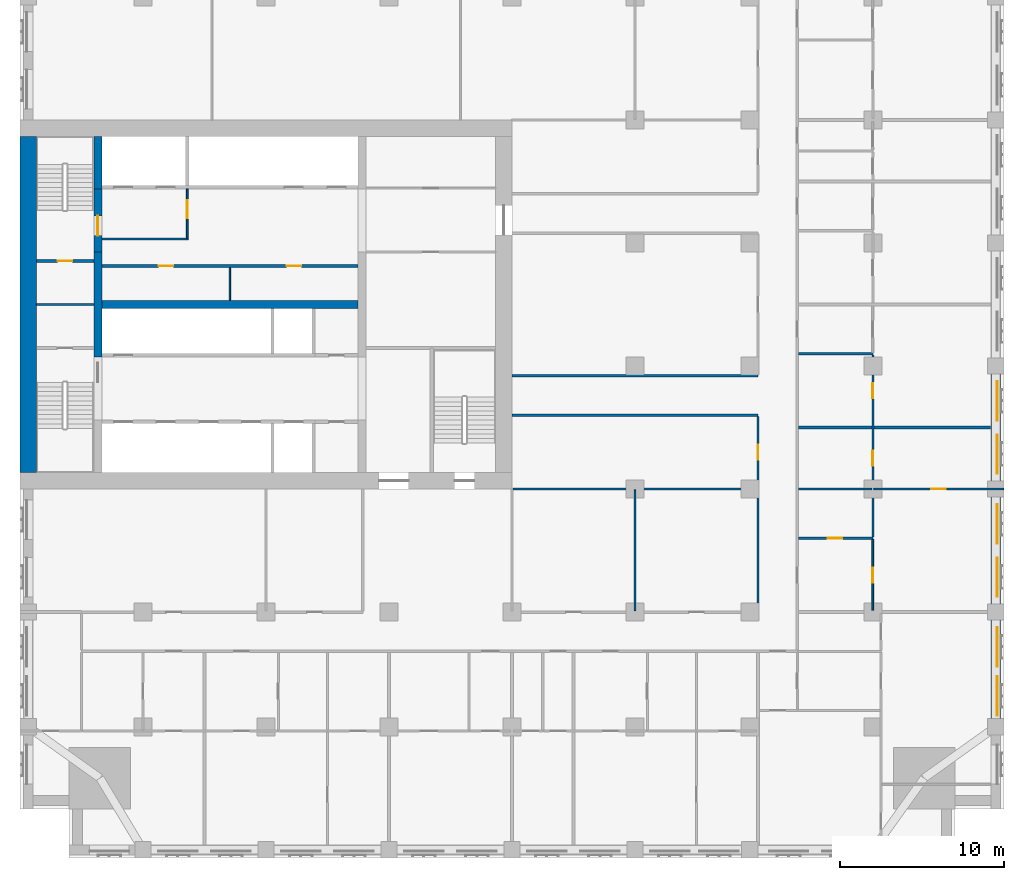
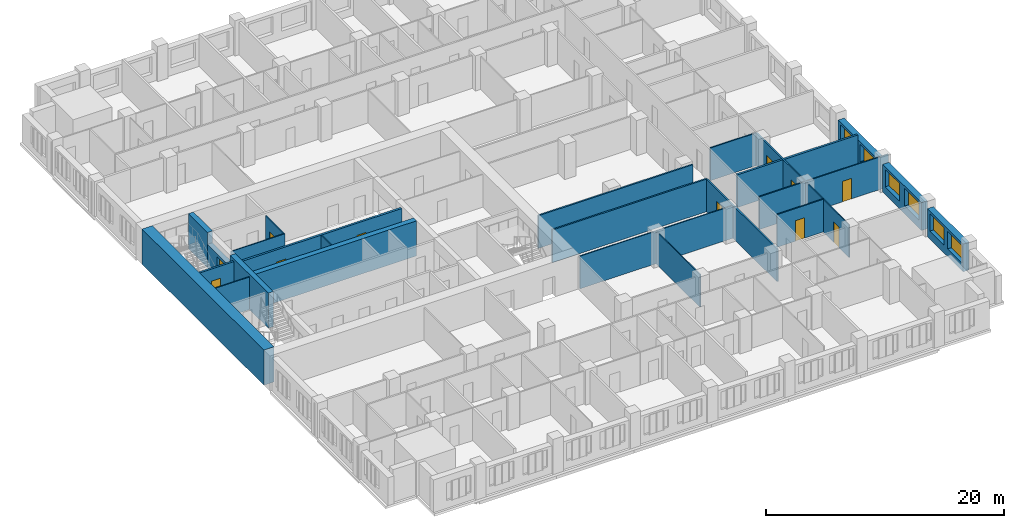
# One storey, part 7 of 14: 26 walls, 11 doors, 6 windows, 17 openings.
"""IFC4 building model written with IfcOpenShell, lengths in metres."""

import ifcopenshell
import ifcopenshell.guid

model = None  # the IFC model being written
_history = None  # IfcOwnerHistory: only IFC2X3 demands one
_inside = {}  # id of a spatial element -> (the spatial element, [elements in it])
_under = {}  # id of a project, library or spatial element -> (it, [spatial elements below it])
_declared = {}  # id of a project -> (the project, [libraries it declares])
_typed = {}  # id of a type object -> (the type object, [elements of that type])
_made_of = {}  # id of a material, layer set ... -> (it, [elements and type objects made of it])


def new_model(schema):
    """Start an empty IFC model of exactly this schema.

    Asked for "IFC4X3", IfcOpenShell would pick the latest addendum, in which some entities
    have other attributes; the version numbers below select the first issue.
    IFC2X3 requires an IfcOwnerHistory on every rooted entity: one is made here for all.
    """
    global model, _history
    if schema == "IFC4X3":
        model = ifcopenshell.file(schema_version=(4, 3, 0, 0))
    else:
        model = ifcopenshell.file(schema=schema)
    _inside.clear()
    _under.clear()
    _declared.clear()
    _typed.clear()
    _made_of.clear()
    _history = None
    if model.schema == "IFC2X3":
        org = make("IfcOrganization", Name="unknown")
        user = make(
            "IfcPersonAndOrganization",
            ThePerson=make("IfcPerson", FamilyName="unknown"),
            TheOrganization=org,
        )
        app = make(
            "IfcApplication",
            ApplicationDeveloper=org,
            Version="unknown",
            ApplicationFullName="unknown",
            ApplicationIdentifier="unknown",
        )
        _history = make(
            "IfcOwnerHistory",
            OwningUser=user,
            OwningApplication=app,
            ChangeAction="ADDED",
            CreationDate=0,
        )
    return model


def make(cls, **values):
    """One entity of the class cls with the attributes given. An attribute that is None is left unset."""
    return model.create_entity(
        cls, **{name: value for name, value in values.items() if value is not None}
    )


def rooted(cls, **values):
    """An entity with a GlobalId (a new one), such as an element, a storey or a relation."""
    return make(cls, GlobalId=ifcopenshell.guid.new(), OwnerHistory=_history, **values)


def si_unit(unit_type, name, prefix=None):
    """IfcSIUnit, for example si_unit("LENGTHUNIT", "METRE", prefix="MILLI")."""
    return make("IfcSIUnit", UnitType=unit_type, Prefix=prefix, Name=name)


def assignment(units):
    """IfcUnitAssignment: the units of a project."""
    return None if units is None else make("IfcUnitAssignment", Units=units)


def point(xyz):
    """IfcCartesianPoint."""
    return None if xyz is None else make("IfcCartesianPoint", Coordinates=xyz)


def direction(xyz):
    """IfcDirection."""
    return None if xyz is None else make("IfcDirection", DirectionRatios=xyz)


def frame(location, z_axis=None, x_axis=None):
    """IfcAxis2Placement3D, a coordinate frame: its origin and axes. An axis left out is left unset."""
    return make(
        "IfcAxis2Placement3D",
        Location=point(location),
        Axis=direction(z_axis),
        RefDirection=direction(x_axis),
    )


def frame_2d(location, x_axis=None):
    """IfcAxis2Placement2D, a coordinate frame in the plane: its origin and x axis."""
    return make(
        "IfcAxis2Placement2D", Location=point(location), RefDirection=direction(x_axis)
    )


def origin():
    """The frame at (0, 0, 0) with its axes left unset."""
    return frame((0.0, 0.0, 0.0))


def place(relative_to, where):
    """IfcLocalPlacement: puts the frame where relative to a parent placement (None: the world)."""
    return make(
        "IfcLocalPlacement", PlacementRelTo=relative_to, RelativePlacement=where
    )


def context(
    kind, dimensions, precision=None, world=None, true_north=None, identifier=None
):
    """IfcGeometricRepresentationContext, for example the 3D "Model" context."""
    return make(
        "IfcGeometricRepresentationContext",
        ContextIdentifier=identifier,
        ContextType=kind,
        CoordinateSpaceDimension=dimensions,
        Precision=precision,
        WorldCoordinateSystem=world,
        TrueNorth=true_north,
    )


def subcontext(parent, identifier, kind, view, scale=None):
    """IfcGeometricRepresentationSubContext, for example "Body" below "Model"."""
    return make(
        "IfcGeometricRepresentationSubContext",
        ContextIdentifier=identifier,
        ContextType=kind,
        ParentContext=parent,
        TargetScale=scale,
        TargetView=view,
    )


def project(units=None, contexts=None):
    """IfcProject with its units and contexts."""
    return rooted(
        "IfcProject",
        Name="project",
        RepresentationContexts=contexts,
        UnitsInContext=assignment(units),
    )


def spatial(cls, under=None, at=None, **own):
    """A site, building, storey or space (cls), placed at a placement, below another one or the project."""
    s = rooted(cls, ObjectPlacement=at, **own)
    if under is not None:
        _under.setdefault(under.id(), (under, []))[1].append(s)
    return s


def profile(cls, at=None, kind="AREA", **sizes):
    """A parametric profile (cls). Its sizes go by their IFC names, for example OverallWidth=200.0."""
    return make(cls, ProfileType=kind, Position=at, **sizes)


def rectangle(**sizes):
    """IfcRectangleProfileDef."""
    return profile("IfcRectangleProfileDef", **sizes)


def extrude(swept, where, along, depth):
    """IfcExtrudedAreaSolid: the profile swept, set in the frame where, extruded along a direction by depth."""
    return make(
        "IfcExtrudedAreaSolid",
        SweptArea=swept,
        Position=where,
        ExtrudedDirection=direction(along),
        Depth=depth,
    )


def shape(context_of_items, identifier, shape_type, items):
    """IfcShapeRepresentation: the items that make up one representation, for example the "Body"."""
    return make(
        "IfcShapeRepresentation",
        ContextOfItems=context_of_items,
        RepresentationIdentifier=identifier,
        RepresentationType=shape_type,
        Items=items,
    )


def material(Name=None, Category=None):
    """IfcMaterial."""
    return make("IfcMaterial", Name=Name, Category=Category)


def layer(
    of_material, thickness, ventilated=None, Name=None, Category=None, Priority=None
):
    """IfcMaterialLayer: one layer of a wall or slab, of a material (None: an air gap)."""
    return make(
        "IfcMaterialLayer",
        Material=of_material,
        LayerThickness=thickness,
        IsVentilated=ventilated,
        Name=Name,
        Category=Category,
        Priority=Priority,
    )


def layer_set(layers, Name=None):
    """IfcMaterialLayerSet."""
    return make("IfcMaterialLayerSet", MaterialLayers=layers, LayerSetName=Name)


def made_of(thing, what):
    """Note that an element or type object is made of a material, layer set ...; save() writes the relation."""
    if what is not None:
        _made_of.setdefault(what.id(), (what, []))[1].append(thing)
    return thing


def type_object(cls, material=None, **own):
    """A type object (cls), such as IfcWallType, which elements share."""
    return made_of(rooted(cls, **own), material)


def element(
    cls,
    number,
    at=None,
    inside=None,
    cuts=None,
    type_object=None,
    material=None,
    context=None,
    identifier="Body",
    shape_type=None,
    held_by="IfcProductDefinitionShape",
    body=None,
    shapes=None,
    **own,
):
    """One element of the class cls, such as IfcWall. Its Tag is "e" and its number.

    at: its placement. inside: the storey or other place that contains it. cuts: it is an
    opening in that element (IfcRelVoidsElement). A single representation is given by context,
    identifier, shape_type and body (its items); several are given by shapes. held_by: the class
    of the entity that holds the representations. save() writes the other relations.
    """
    e = rooted(cls, Tag="e%d" % number, ObjectPlacement=at, **own)
    if body is not None:
        shapes = [shape(context, identifier, shape_type, body)]
    if shapes is not None:
        e.Representation = make(held_by, Representations=shapes)
    if inside is not None:
        _inside.setdefault(inside.id(), (inside, []))[1].append(e)
    if cuts is not None:
        rooted(
            "IfcRelVoidsElement", RelatingBuildingElement=cuts, RelatedOpeningElement=e
        )
    if type_object is not None:
        _typed.setdefault(type_object.id(), (type_object, []))[1].append(e)
    return made_of(e, material)


def fill(opening, filler):
    """IfcRelFillsElement: the door or window that sits in an opening."""
    return rooted(
        "IfcRelFillsElement",
        RelatingOpeningElement=opening,
        RelatedBuildingElement=filler,
    )


def aggregate(whole, parts):
    """IfcRelAggregates: a whole, such as a stair, and the parts it consists of."""
    return rooted("IfcRelAggregates", RelatingObject=whole, RelatedObjects=parts)


def save(model, path):
    """Write the relations noted so far, then the file.

    IfcRelAggregates (storeys below a building ...), IfcRelContainedInSpatialStructure (elements
    in a storey), IfcRelDefinesByType, IfcRelAssociatesMaterial and IfcRelDeclares: one each for
    every whole, place, type object, material and project.
    """
    for whole, parts in _under.values():
        aggregate(whole, parts)
    for where, things in _inside.values():
        rooted(
            "IfcRelContainedInSpatialStructure",
            RelatedElements=things,
            RelatingStructure=where,
        )
    for kind, things in _typed.values():
        rooted("IfcRelDefinesByType", RelatedObjects=things, RelatingType=kind)
    for what, things in _made_of.values():
        rooted("IfcRelAssociatesMaterial", RelatedObjects=things, RelatingMaterial=what)
    for by, libraries in _declared.values():
        rooted("IfcRelDeclares", RelatingContext=by, RelatedDefinitions=libraries)
    model.write(path)


model = new_model("IFC4")

# Units and contexts
model_context = context("Model", 3, precision=1e-05, world=origin(), true_north=direction((0.0, 1.0)))
body_context = subcontext(model_context, "Body", "Model", "MODEL_VIEW")
ifc_project = project(units=[si_unit("LENGTHUNIT", "METRE"), si_unit("AREAUNIT", "SQUARE_METRE"), si_unit("VOLUMEUNIT", "CUBIC_METRE"), si_unit("PLANEANGLEUNIT", "RADIAN"), si_unit("MASSUNIT", "GRAM", prefix="KILO")], contexts=[model_context])

# Site, building, storey
site_placement = place(None, origin())
site = spatial("IfcSite", under=ifc_project, at=site_placement, CompositionType="ELEMENT")
building_placement = place(site_placement, origin())
building = spatial("IfcBuilding", under=site, at=building_placement, Name="Tamorin Gate", CompositionType="ELEMENT")
storey_placement = place(building_placement, frame((0.0, 0.0, 93.5)))
storey = spatial("IfcBuildingStorey", under=building, at=storey_placement, Name="L22", CompositionType="ELEMENT", Elevation=93.5)

# Wall, openings, windows
ifc_material_1 = material(Name="Precast concrete C40/50", Category="concrete")
ifc_layer_1 = layer(ifc_material_1, 0.60009765625)
ifc_layer_set_1 = layer_set([ifc_layer_1], Name="Precast concrete C40/50")
wall_type_1 = type_object("IfcWallType", Name="Board-marked concrete facade panel 600", PredefinedType="SOLIDWALL", material=ifc_layer_set_1)
wall_1_placement = place(storey_placement, frame((89.5, 46.0, 0.0), z_axis=(0.0, 0.0, 1.0), x_axis=(0.0, 1.0, 0.0)))
wall_1 = element("IfcWall", 1, at=wall_1_placement, inside=storey, type_object=wall_type_1, Name="Facade panel", PredefinedType="SOLIDWALL", context=body_context, shape_type="SweptSolid", body=[
    extrude(rectangle(XDim=6.0, YDim=0.60009765625, at=frame_2d((3.0, 0.0))), origin(), (0.0, 0.0, 1.0), 2.85009765625),
])
opening_1_placement = place(wall_1_placement, frame((0.175048828125, 0.0, 0.800048828125)))
opening_1 = element("IfcOpeningElement", 2, at=opening_1_placement, cuts=wall_1, Name="Opening WN1", PredefinedType="OPENING", context=body_context, shape_type="SweptSolid", body=[
    extrude(rectangle(XDim=2.39990234375, YDim=1.800048828125, at=frame_2d((1.199951171875, 0.89990234375))), frame((0.0, 0.31005859375, 0.0), z_axis=(0.0, -1.0, 0.0), x_axis=(1.0, 0.0, 0.0)), (0.0, 0.0, 1.0), 0.6201171875),
])
opening_2_placement = place(wall_1_placement, frame((3.175048828125, 0.0, 0.800048828125)))
opening_2 = element("IfcOpeningElement", 3, at=opening_2_placement, cuts=wall_1, Name="Opening WN1", PredefinedType="OPENING", context=body_context, shape_type="SweptSolid", body=[
    extrude(rectangle(XDim=2.39990234375, YDim=1.800048828125, at=frame_2d((1.199951171875, 0.89990234375))), frame((0.0, 0.31005859375, 0.0), z_axis=(0.0, -1.0, 0.0), x_axis=(1.0, 0.0, 0.0)), (0.0, 0.0, 1.0), 0.6201171875),
])
ifc_material_2 = material(Name="Clear glass in aluminium frame", Category="aluminium")
window_type = type_object("IfcWindowType", Name="Deep-set window 2400x1800", PartitioningType="SINGLE_PANEL", PredefinedType="WINDOW", material=ifc_material_2)
window_1_placement = place(opening_1_placement, origin())
window_1 = element("IfcWindow", 4, at=window_1_placement, inside=storey, type_object=window_type, Name="Deep-set window", OverallHeight=1.800048828125, OverallWidth=2.39990234375, PartitioningType="SINGLE_PANEL", PredefinedType="WINDOW", context=body_context, shape_type="SweptSolid", body=[
    extrude(rectangle(XDim=2.39990234375, YDim=1.800048828125, at=frame_2d((1.199951171875, 0.89990234375))), frame((0.0, -0.070068359375, 0.0), z_axis=(0.0, -1.0, 0.0), x_axis=(1.0, 0.0, 0.0)), (0.0, 0.0, 1.0), 0.06005859375),
])
fill(opening_1, window_1)
window_2_placement = place(opening_2_placement, origin())
window_2 = element("IfcWindow", 5, at=window_2_placement, inside=storey, type_object=window_type, Name="Deep-set window", OverallHeight=1.800048828125, OverallWidth=2.39990234375, PartitioningType="SINGLE_PANEL", PredefinedType="WINDOW", context=body_context, shape_type="SweptSolid", body=[
    extrude(rectangle(XDim=2.39990234375, YDim=1.800048828125, at=frame_2d((1.199951171875, 0.89990234375))), frame((0.0, -0.070068359375, 0.0), z_axis=(0.0, -1.0, 0.0), x_axis=(1.0, 0.0, 0.0)), (0.0, 0.0, 1.0), 0.06005859375),
])
fill(opening_2, window_2)

wall_2_placement = place(storey_placement, frame((89.5, 53.0, 0.0), z_axis=(0.0, 0.0, 1.0), x_axis=(0.0, 1.0, 0.0)))
wall_2 = element("IfcWall", 6, at=wall_2_placement, inside=storey, type_object=wall_type_1, Name="Facade panel", PredefinedType="SOLIDWALL", context=body_context, shape_type="SweptSolid", body=[
    extrude(rectangle(XDim=6.5, YDim=0.60009765625, at=frame_2d((3.25, 0.0))), origin(), (0.0, 0.0, 1.0), 2.85009765625),
])
opening_3_placement = place(wall_2_placement, frame((0.425048828125, 0.0, 0.800048828125)))
opening_3 = element("IfcOpeningElement", 7, at=opening_3_placement, cuts=wall_2, Name="Opening WN1", PredefinedType="OPENING", context=body_context, shape_type="SweptSolid", body=[
    extrude(rectangle(XDim=2.39990234375, YDim=1.800048828125, at=frame_2d((1.199951171875, 0.89990234375))), frame((0.0, 0.31005859375, 0.0), z_axis=(0.0, -1.0, 0.0), x_axis=(1.0, 0.0, 0.0)), (0.0, 0.0, 1.0), 0.6201171875),
])
opening_4_placement = place(wall_2_placement, frame((3.675048828125, 0.0, 0.800048828125)))
opening_4 = element("IfcOpeningElement", 8, at=opening_4_placement, cuts=wall_2, Name="Opening WN1", PredefinedType="OPENING", context=body_context, shape_type="SweptSolid", body=[
    extrude(rectangle(XDim=2.39990234375, YDim=1.800048828125, at=frame_2d((1.199951171875, 0.89990234375))), frame((0.0, 0.31005859375, 0.0), z_axis=(0.0, -1.0, 0.0), x_axis=(1.0, 0.0, 0.0)), (0.0, 0.0, 1.0), 0.6201171875),
])
window_3_placement = place(opening_3_placement, origin())
window_3 = element("IfcWindow", 9, at=window_3_placement, inside=storey, type_object=window_type, Name="Deep-set window", OverallHeight=1.800048828125, OverallWidth=2.39990234375, PartitioningType="SINGLE_PANEL", PredefinedType="WINDOW", context=body_context, shape_type="SweptSolid", body=[
    extrude(rectangle(XDim=2.39990234375, YDim=1.800048828125, at=frame_2d((1.199951171875, 0.89990234375))), frame((0.0, -0.070068359375, 0.0), z_axis=(0.0, -1.0, 0.0), x_axis=(1.0, 0.0, 0.0)), (0.0, 0.0, 1.0), 0.06005859375),
])
fill(opening_3, window_3)
window_4_placement = place(opening_4_placement, origin())
window_4 = element("IfcWindow", 10, at=window_4_placement, inside=storey, type_object=window_type, Name="Deep-set window", OverallHeight=1.800048828125, OverallWidth=2.39990234375, PartitioningType="SINGLE_PANEL", PredefinedType="WINDOW", context=body_context, shape_type="SweptSolid", body=[
    extrude(rectangle(XDim=2.39990234375, YDim=1.800048828125, at=frame_2d((1.199951171875, 0.89990234375))), frame((0.0, -0.070068359375, 0.0), z_axis=(0.0, -1.0, 0.0), x_axis=(1.0, 0.0, 0.0)), (0.0, 0.0, 1.0), 0.06005859375),
])
fill(opening_4, window_4)

wall_3_placement = place(storey_placement, frame((89.5, 60.5, 0.0), z_axis=(0.0, 0.0, 1.0), x_axis=(0.0, 1.0, 0.0)))
wall_3 = element("IfcWall", 11, at=wall_3_placement, inside=storey, type_object=wall_type_1, Name="Facade panel", PredefinedType="SOLIDWALL", context=body_context, shape_type="SweptSolid", body=[
    extrude(rectangle(XDim=6.5, YDim=0.60009765625, at=frame_2d((3.25, 0.0))), origin(), (0.0, 0.0, 1.0), 2.85009765625),
])
opening_5_placement = place(wall_3_placement, frame((0.425048828125, 0.0, 0.800048828125)))
opening_5 = element("IfcOpeningElement", 12, at=opening_5_placement, cuts=wall_3, Name="Opening WN1", PredefinedType="OPENING", context=body_context, shape_type="SweptSolid", body=[
    extrude(rectangle(XDim=2.39990234375, YDim=1.800048828125, at=frame_2d((1.199951171875, 0.89990234375))), frame((0.0, 0.31005859375, 0.0), z_axis=(0.0, -1.0, 0.0), x_axis=(1.0, 0.0, 0.0)), (0.0, 0.0, 1.0), 0.6201171875),
])
opening_6_placement = place(wall_3_placement, frame((3.675048828125, 0.0, 0.800048828125)))
opening_6 = element("IfcOpeningElement", 13, at=opening_6_placement, cuts=wall_3, Name="Opening WN1", PredefinedType="OPENING", context=body_context, shape_type="SweptSolid", body=[
    extrude(rectangle(XDim=2.39990234375, YDim=1.800048828125, at=frame_2d((1.199951171875, 0.89990234375))), frame((0.0, 0.31005859375, 0.0), z_axis=(0.0, -1.0, 0.0), x_axis=(1.0, 0.0, 0.0)), (0.0, 0.0, 1.0), 0.6201171875),
])
window_5_placement = place(opening_5_placement, origin())
window_5 = element("IfcWindow", 14, at=window_5_placement, inside=storey, type_object=window_type, Name="Deep-set window", OverallHeight=1.800048828125, OverallWidth=2.39990234375, PartitioningType="SINGLE_PANEL", PredefinedType="WINDOW", context=body_context, shape_type="SweptSolid", body=[
    extrude(rectangle(XDim=2.39990234375, YDim=1.800048828125, at=frame_2d((1.199951171875, 0.89990234375))), frame((0.0, -0.070068359375, 0.0), z_axis=(0.0, -1.0, 0.0), x_axis=(1.0, 0.0, 0.0)), (0.0, 0.0, 1.0), 0.06005859375),
])
fill(opening_5, window_5)
window_6_placement = place(opening_6_placement, origin())
window_6 = element("IfcWindow", 15, at=window_6_placement, inside=storey, type_object=window_type, Name="Deep-set window", OverallHeight=1.800048828125, OverallWidth=2.39990234375, PartitioningType="SINGLE_PANEL", PredefinedType="WINDOW", context=body_context, shape_type="SweptSolid", body=[
    extrude(rectangle(XDim=2.39990234375, YDim=1.800048828125, at=frame_2d((1.199951171875, 0.89990234375))), frame((0.0, -0.070068359375, 0.0), z_axis=(0.0, -1.0, 0.0), x_axis=(1.0, 0.0, 0.0)), (0.0, 0.0, 1.0), 0.06005859375),
])
fill(opening_6, window_6)

# Wall, opening, door
ifc_material_3 = material(Name="Gypsum board partition")
ifc_layer_2 = layer(ifc_material_3, 0.14990234375)
ifc_layer_set_2 = layer_set([ifc_layer_2], Name="Corridor wall 150")
wall_type_2 = type_object("IfcWallType", Name="Corridor wall 150", PredefinedType="PARTITIONING", material=ifc_layer_set_2)
wall_4_placement = place(storey_placement, frame((75.0, 52.574951171875, 0.0), z_axis=(0.0, 0.0, 1.0), x_axis=(0.0, 1.0, 0.0)))
wall_4 = element("IfcWall", 16, at=wall_4_placement, inside=storey, type_object=wall_type_2, Name="Corridor wall 150", PredefinedType="PARTITIONING", context=body_context, shape_type="SweptSolid", body=[
    extrude(rectangle(XDim=11.85009765625, YDim=0.14990234375, at=frame_2d((5.925048828125, 0.0))), origin(), (0.0, 0.0, 1.0), 3.35009765625),
])
opening_7_placement = place(wall_4_placement, frame((9.22509765625, 0.0, 0.0)))
opening_7 = element("IfcOpeningElement", 17, at=opening_7_placement, cuts=wall_4, Name="Opening DH5080", PredefinedType="OPENING", context=body_context, shape_type="SweptSolid", body=[
    extrude(rectangle(XDim=0.89990234375, YDim=2.10009765625, at=frame_2d((0.449951171875, 1.050048828125))), frame((0.0, 0.0849609375, 0.0), z_axis=(0.0, -1.0, 0.0), x_axis=(1.0, 0.0, 0.0)), (0.0, 0.0, 1.0), 0.169921875),
])
ifc_material_4 = material(Name="Timber door leaf", Category="wood")
door_type_1 = type_object("IfcDoorType", Name="Door 900 x 2100 FD30S", OperationType="NOTDEFINED", PredefinedType="DOOR", material=ifc_material_4)
door_1_placement = place(opening_7_placement, origin())
door_1 = element("IfcDoor", 18, at=door_1_placement, inside=storey, type_object=door_type_1, Name="Door DH5080", OperationType="SINGLE_SWING_LEFT", OverallHeight=2.10009765625, OverallWidth=0.89990234375, PredefinedType="DOOR", context=body_context, shape_type="SweptSolid", body=[
    extrude(rectangle(XDim=0.89990234375, YDim=2.10009765625, at=frame_2d((0.449951171875, 1.050048828125))), frame((0.0, 0.02490234375, 0.0), z_axis=(0.0, -1.0, 0.0), x_axis=(1.0, 0.0, 0.0)), (0.0, 0.0, 1.0), 0.050048828125),
])
fill(opening_7, door_1)

# Walls
ifc_layer_3 = layer(ifc_material_3, 0.199951171875)
ifc_layer_set_3 = layer_set([ifc_layer_3], Name="Demising wall 200")
wall_type_3 = type_object("IfcWallType", Name="Demising wall 200", PredefinedType="PARTITIONING", material=ifc_layer_set_3)
wall_5_placement = place(storey_placement, frame((77.47509765625, 63.75, 0.0), z_axis=(0.0, 0.0, 1.0), x_axis=(1.0, 0.0, 0.0)))
element("IfcWall", 19, at=wall_5_placement, inside=storey, type_object=wall_type_3, Name="Demising wall 200", PredefinedType="PARTITIONING", context=body_context, shape_type="SweptSolid", body=[
    extrude(rectangle(XDim=11.71484375, YDim=0.199951171875, at=frame_2d((5.857421875, 0.0))), origin(), (0.0, 0.0, 1.0), 3.35009765625),
])
ifc_material_5 = material(Name="Fire-rated gypsum board partition")
ifc_layer_4 = layer(ifc_material_5, 0.10009765625)
ifc_layer_set_4 = layer_set([ifc_layer_4], Name="Lobby wall 100 EI 60")
wall_type_4 = type_object("IfcWallType", Name="Lobby wall 100 EI 60", PredefinedType="PARTITIONING", material=ifc_layer_set_4)
wall_6_placement = place(storey_placement, frame((35.0, 75.25, 0.0), z_axis=(0.0, 0.0, 1.0), x_axis=(1.0, 0.0, 0.0)))
element("IfcWall", 20, at=wall_6_placement, inside=storey, type_object=wall_type_4, Name="Firefighting lobby wall", PredefinedType="PARTITIONING", context=body_context, shape_type="SweptSolid", body=[
    extrude(rectangle(XDim=5.25, YDim=0.10009765625, at=frame_2d((2.625, 0.0))), origin(), (0.0, 0.0, 1.0), 3.35009765625),
])

# Wall, opening, door
wall_7_placement = place(storey_placement, frame((40.199951171875, 75.300048828125, 0.0), z_axis=(0.0, 0.0, 1.0), x_axis=(0.0, 1.0, 0.0)))
wall_7 = element("IfcWall", 21, at=wall_7_placement, inside=storey, type_object=wall_type_4, Name="Firefighting lobby wall", PredefinedType="PARTITIONING", context=body_context, shape_type="SweptSolid", body=[
    extrude(rectangle(XDim=3.0, YDim=0.10009765625, at=frame_2d((1.5, 0.0))), origin(), (0.0, 0.0, 1.0), 3.35009765625),
])
opening_8_placement = place(wall_7_placement, frame((1.199951171875, 0.0, 0.0)))
opening_8 = element("IfcOpeningElement", 22, at=opening_8_placement, cuts=wall_7, Name="Opening DF1", PredefinedType="OPENING", context=body_context, shape_type="SweptSolid", body=[
    extrude(rectangle(XDim=1.10009765625, YDim=2.10009765625, at=frame_2d((0.550048828125, 1.050048828125))), frame((0.0, 0.06005859375, 0.0), z_axis=(0.0, -1.0, 0.0), x_axis=(1.0, 0.0, 0.0)), (0.0, 0.0, 1.0), 0.1201171875),
])
ifc_material_6 = material(Name="Steel fire door", Category="steel")
door_type_2 = type_object("IfcDoorType", Name="Firefighting lobby door 1100 x 2100 EI 90", OperationType="SINGLE_SWING_LEFT", PredefinedType="DOOR", material=ifc_material_6)
door_2_placement = place(opening_8_placement, origin())
door_2 = element("IfcDoor", 23, at=door_2_placement, inside=storey, type_object=door_type_2, Name="Firefighting lobby door", OperationType="SINGLE_SWING_LEFT", OverallHeight=2.10009765625, OverallWidth=1.10009765625, PredefinedType="DOOR", context=body_context, shape_type="SweptSolid", body=[
    extrude(rectangle(XDim=1.10009765625, YDim=2.10009765625, at=frame_2d((0.550048828125, 1.050048828125))), frame((0.0, 0.02490234375, 0.0), z_axis=(0.0, -1.0, 0.0), x_axis=(1.0, 0.0, 0.0)), (0.0, 0.0, 1.0), 0.050048828125),
])
fill(opening_8, door_2)

# Walls
ifc_layer_5 = layer(ifc_material_3, 0.14990234375)
ifc_layer_set_5 = layer_set([ifc_layer_5], Name="Lobby wall 150")
wall_type_5 = type_object("IfcWallType", Name="Lobby wall 150", PredefinedType="PARTITIONING", material=ifc_layer_set_5)
for number, where, z_axis, x_axis, name in (
    (24, (60.0, 64.5, 0.0), (0.0, 0.0, 1.0), (1.0, 0.0, 0.0), "Lobby wall 150"),
    (25, (60.0, 66.89990234375, 0.0), (0.0, 0.0, 1.0), (1.0, 0.0, 0.0), "Lobby wall 150"),
):
    element("IfcWall", number, at=place(storey_placement, frame(where, z_axis=z_axis, x_axis=x_axis)), inside=storey, type_object=wall_type_5, Name=name, PredefinedType="PARTITIONING", context=body_context, shape_type="SweptSolid", body=[
        extrude(rectangle(XDim=15.0, YDim=0.14990234375, at=frame_2d((7.5, 0.0))), origin(), (0.0, 0.0, 1.0), 3.35009765625),
    ])
ifc_material_7 = material(Name="Concrete C80/95", Category="concrete")
ifc_layer_6 = layer(ifc_material_7, 0.5)
ifc_layer_set_6 = layer_set([ifc_layer_6], Name="RC core internal wall 500 C80/95")
wall_type_6 = type_object("IfcWallType", Name="RC core internal wall 500 C80/95", PredefinedType="SHEAR", material=ifc_layer_set_6)
wall_8_placement = place(storey_placement, frame((35.0, 71.25, 0.0), z_axis=(0.0, 0.0, 1.0), x_axis=(1.0, 0.0, 0.0)))
element("IfcWall", 26, at=wall_8_placement, inside=storey, type_object=wall_type_6, Name="Core spine wall L22", PredefinedType="SHEAR", context=body_context, shape_type="SweptSolid", body=[
    extrude(rectangle(XDim=15.60009765625, YDim=0.5, at=frame_2d((7.800048828125, 0.0))), origin(), (0.0, 0.0, 1.0), 3.60009765625),
])
wall_9_placement = place(storey_placement, frame((34.75, 68.050048828125, 0.0), z_axis=(0.0, 0.0, 1.0), x_axis=(0.0, 1.0, 0.0)))
element("IfcWall", 27, at=wall_9_placement, inside=storey, type_object=wall_type_6, Name="Core cross wall L22", PredefinedType="SHEAR", context=body_context, shape_type="SweptSolid", body=[
    extrude(rectangle(XDim=6.39990234375, YDim=0.5, at=frame_2d((3.199951171875, 0.0))), origin(), (0.0, 0.0, 1.0), 3.60009765625),
])
wall_10_placement = place(storey_placement, frame((34.75, 78.300048828125, 0.0), z_axis=(0.0, 0.0, 1.0), x_axis=(0.0, 1.0, 0.0)))
element("IfcWall", 28, at=wall_10_placement, inside=storey, type_object=wall_type_6, Name="Core cross wall L22", PredefinedType="SHEAR", context=body_context, shape_type="SweptSolid", body=[
    extrude(rectangle(XDim=3.199951171875, YDim=0.5, at=frame_2d((1.60009765625, 0.0))), origin(), (0.0, 0.0, 1.0), 3.60009765625),
])
ifc_layer_7 = layer(ifc_material_7, 1.0)
ifc_layer_set_7 = layer_set([ifc_layer_7], Name="RC core wall 1000 C80/95")
wall_type_7 = type_object("IfcWallType", Name="RC core wall 1000 C80/95", PredefinedType="SHEAR", material=ifc_layer_set_7)
wall_11_placement = place(storey_placement, frame((30.5, 61.0, 0.0), z_axis=(0.0, 0.0, 1.0), x_axis=(0.0, 1.0, 0.0)))
element("IfcWall", 29, at=wall_11_placement, inside=storey, type_object=wall_type_7, Name="Core wall L22", PredefinedType="SHEAR", context=body_context, shape_type="SweptSolid", body=[
    extrude(rectangle(XDim=20.5, YDim=1.0, at=frame_2d((10.25, 0.0))), origin(), (0.0, 0.0, 1.0), 3.60009765625),
])
ifc_layer_8 = layer(ifc_material_5, 0.10009765625)
ifc_layer_set_8 = layer_set([ifc_layer_8], Name="Riser partition 100 EI 120")
wall_type_8 = type_object("IfcWallType", Name="Riser partition 100 EI 120", PredefinedType="PARTITIONING", material=ifc_layer_set_8)
wall_12_placement = place(storey_placement, frame((31.0, 71.25, 0.0), z_axis=(0.0, 0.0, 1.0), x_axis=(1.0, 0.0, 0.0)))
element("IfcWall", 30, at=wall_12_placement, inside=storey, type_object=wall_type_8, Name="Riser partition", PredefinedType="PARTITIONING", context=body_context, shape_type="SweptSolid", body=[
    extrude(rectangle(XDim=3.5, YDim=0.10009765625, at=frame_2d((1.75, 0.0))), origin(), (0.0, 0.0, 1.0), 3.35009765625),
])
ifc_layer_9 = layer(ifc_material_3, 0.10009765625)
ifc_layer_set_9 = layer_set([ifc_layer_9], Name="Room partition 100")
wall_type_9 = type_object("IfcWallType", Name="Room partition 100", PredefinedType="PARTITIONING", material=ifc_layer_set_9)
wall_13_placement = place(storey_placement, frame((60.074951171875, 60.0, 0.0), z_axis=(0.0, 0.0, 1.0), x_axis=(1.0, 0.0, 0.0)))
element("IfcWall", 31, at=wall_13_placement, inside=storey, type_object=wall_type_9, Name="Room partition 100", PredefinedType="PARTITIONING", context=body_context, shape_type="SweptSolid", body=[
    extrude(rectangle(XDim=14.85009765625, YDim=0.10009765625, at=frame_2d((7.425048828125, 0.0))), origin(), (0.0, 0.0, 1.0), 3.35009765625),
])

# Wall, opening, door
wall_14_placement = place(storey_placement, frame((82.0625, 60.0, 0.0), z_axis=(0.0, 0.0, 1.0), x_axis=(1.0, 0.0, 0.0)))
wall_14 = element("IfcWall", 32, at=wall_14_placement, inside=storey, type_object=wall_type_9, Name="Room partition 100", PredefinedType="PARTITIONING", context=body_context, shape_type="SweptSolid", body=[
    extrude(rectangle(XDim=7.9375, YDim=0.10009765625, at=frame_2d((3.96875, 0.0))), origin(), (0.0, 0.0, 1.0), 3.35009765625),
])
opening_9_placement = place(wall_14_placement, frame((3.487548828125, 0.0, 0.0)))
opening_9 = element("IfcOpeningElement", 33, at=opening_9_placement, cuts=wall_14, Name="Opening DH5047", PredefinedType="OPENING", context=body_context, shape_type="SweptSolid", body=[
    extrude(rectangle(XDim=0.89990234375, YDim=2.10009765625, at=frame_2d((0.449951171875, 1.050048828125))), frame((0.0, 0.06005859375, 0.0), z_axis=(0.0, -1.0, 0.0), x_axis=(1.0, 0.0, 0.0)), (0.0, 0.0, 1.0), 0.1201171875),
])
door_type_3 = type_object("IfcDoorType", Name="Door 900 x 2100", OperationType="NOTDEFINED", PredefinedType="DOOR", material=ifc_material_4)
door_3_placement = place(opening_9_placement, origin())
door_3 = element("IfcDoor", 34, at=door_3_placement, inside=storey, type_object=door_type_3, Name="Door DH5047", OperationType="SINGLE_SWING_RIGHT", OverallHeight=2.10009765625, OverallWidth=0.89990234375, PredefinedType="DOOR", context=body_context, shape_type="SweptSolid", body=[
    extrude(rectangle(XDim=0.89990234375, YDim=2.10009765625, at=frame_2d((0.449951171875, 1.050048828125))), frame((0.0, 0.02490234375, 0.0), z_axis=(0.0, -1.0, 0.0), x_axis=(1.0, 0.0, 0.0)), (0.0, 0.0, 1.0), 0.050048828125),
])
fill(opening_9, door_3)

# Wall
wall_15_placement = place(storey_placement, frame((67.5, 52.574951171875, 0.0), z_axis=(0.0, 0.0, 1.0), x_axis=(0.0, 1.0, 0.0)))
element("IfcWall", 35, at=wall_15_placement, inside=storey, type_object=wall_type_9, Name="Room partition 100", PredefinedType="PARTITIONING", context=body_context, shape_type="SweptSolid", body=[
    extrude(rectangle(XDim=7.375, YDim=0.10009765625, at=frame_2d((3.6875, 0.0))), origin(), (0.0, 0.0, 1.0), 3.35009765625),
])

# Wall, opening, door
wall_16_placement = place(storey_placement, frame((82.0, 52.60009765625, 0.0), z_axis=(0.0, 0.0, 1.0), x_axis=(0.0, 1.0, 0.0)))
wall_16 = element("IfcWall", 36, at=wall_16_placement, inside=storey, type_object=wall_type_9, Name="Room partition 100", PredefinedType="PARTITIONING", context=body_context, shape_type="SweptSolid", body=[
    extrude(rectangle(XDim=4.33740234375, YDim=0.10009765625, at=frame_2d((2.168701171875, 0.0))), origin(), (0.0, 0.0, 1.0), 3.35009765625),
])
opening_10_placement = place(wall_16_placement, frame((1.699951171875, 0.0, 0.0)))
opening_10 = element("IfcOpeningElement", 37, at=opening_10_placement, cuts=wall_16, Name="Opening DH5044", PredefinedType="OPENING", context=body_context, shape_type="SweptSolid", body=[
    extrude(rectangle(XDim=0.89990234375, YDim=2.10009765625, at=frame_2d((0.449951171875, 1.050048828125))), frame((0.0, 0.06005859375, 0.0), z_axis=(0.0, -1.0, 0.0), x_axis=(1.0, 0.0, 0.0)), (0.0, 0.0, 1.0), 0.1201171875),
])
door_4_placement = place(opening_10_placement, origin())
door_4 = element("IfcDoor", 38, at=door_4_placement, inside=storey, type_object=door_type_3, Name="Door DH5044", OperationType="SINGLE_SWING_LEFT", OverallHeight=2.10009765625, OverallWidth=0.89990234375, PredefinedType="DOOR", context=body_context, shape_type="SweptSolid", body=[
    extrude(rectangle(XDim=0.89990234375, YDim=2.10009765625, at=frame_2d((0.449951171875, 1.050048828125))), frame((0.0, 0.02490234375, 0.0), z_axis=(0.0, -1.0, 0.0), x_axis=(1.0, 0.0, 0.0)), (0.0, 0.0, 1.0), 0.050048828125),
])
fill(opening_10, door_4)

# Wall, openings, doors
ifc_layer_10 = layer(ifc_material_3, 0.199951171875)
ifc_layer_set_10 = layer_set([ifc_layer_10], Name="Service room face wall 200 EI 60")
wall_type_10 = type_object("IfcWallType", Name="Service room face wall 200 EI 60", PredefinedType="PARTITIONING", material=ifc_layer_set_10)
wall_17_placement = place(storey_placement, frame((35.0, 73.60009765625, 0.0), z_axis=(0.0, 0.0, 1.0), x_axis=(1.0, 0.0, 0.0)))
wall_17 = element("IfcWall", 39, at=wall_17_placement, inside=storey, type_object=wall_type_10, Name="Service room face wall", PredefinedType="PARTITIONING", context=body_context, shape_type="SweptSolid", body=[
    extrude(rectangle(XDim=15.60009765625, YDim=0.199951171875, at=frame_2d((7.800048828125, 0.0))), origin(), (0.0, 0.0, 1.0), 3.35009765625),
])
opening_11_placement = place(wall_17_placement, frame((3.449951171875, 0.0, 0.0)))
opening_11 = element("IfcOpeningElement", 40, at=opening_11_placement, cuts=wall_17, Name="Opening DK1", PredefinedType="OPENING", context=body_context, shape_type="SweptSolid", body=[
    extrude(rectangle(XDim=0.89990234375, YDim=2.10009765625, at=frame_2d((0.449951171875, 1.050048828125))), frame((0.0, 0.10986328125, 0.0), z_axis=(0.0, -1.0, 0.0), x_axis=(1.0, 0.0, 0.0)), (0.0, 0.0, 1.0), 0.219970703125),
])
opening_12_placement = place(wall_17_placement, frame((11.25, 0.0, 0.0)))
opening_12 = element("IfcOpeningElement", 41, at=opening_12_placement, cuts=wall_17, Name="Opening DK1", PredefinedType="OPENING", context=body_context, shape_type="SweptSolid", body=[
    extrude(rectangle(XDim=0.89990234375, YDim=2.10009765625, at=frame_2d((0.449951171875, 1.050048828125))), frame((0.0, 0.10986328125, 0.0), z_axis=(0.0, -1.0, 0.0), x_axis=(1.0, 0.0, 0.0)), (0.0, 0.0, 1.0), 0.219970703125),
])
ifc_material_8 = material(Name="Timber fire door", Category="wood")
door_type_4 = type_object("IfcDoorType", Name="Service room door 900 x 2100 EI 60", OperationType="SINGLE_SWING_LEFT", PredefinedType="DOOR", material=ifc_material_8)
door_5_placement = place(opening_11_placement, origin())
door_5 = element("IfcDoor", 42, at=door_5_placement, inside=storey, type_object=door_type_4, Name="Door Housekeeping store", OperationType="SINGLE_SWING_RIGHT", OverallHeight=2.10009765625, OverallWidth=0.89990234375, PredefinedType="DOOR", context=body_context, shape_type="SweptSolid", body=[
    extrude(rectangle(XDim=0.89990234375, YDim=2.10009765625, at=frame_2d((0.449951171875, 1.050048828125))), frame((0.0, 0.02490234375, 0.0), z_axis=(0.0, -1.0, 0.0), x_axis=(1.0, 0.0, 0.0)), (0.0, 0.0, 1.0), 0.050048828125),
])
fill(opening_11, door_5)
door_6_placement = place(opening_12_placement, origin())
door_6 = element("IfcDoor", 43, at=door_6_placement, inside=storey, type_object=door_type_4, Name="Door IT room", OperationType="SINGLE_SWING_LEFT", OverallHeight=2.10009765625, OverallWidth=0.89990234375, PredefinedType="DOOR", context=body_context, shape_type="SweptSolid", body=[
    extrude(rectangle(XDim=0.89990234375, YDim=2.10009765625, at=frame_2d((0.449951171875, 1.050048828125))), frame((0.0, 0.02490234375, 0.0), z_axis=(0.0, -1.0, 0.0), x_axis=(1.0, 0.0, 0.0)), (0.0, 0.0, 1.0), 0.050048828125),
])
fill(opening_12, door_6)

# Wall
ifc_layer_11 = layer(ifc_material_3, 0.10009765625)
ifc_layer_set_11 = layer_set([ifc_layer_11], Name="Service room partition 100 EI 60")
wall_type_11 = type_object("IfcWallType", Name="Service room partition 100 EI 60", PredefinedType="PARTITIONING", material=ifc_layer_set_11)
wall_18_placement = place(storey_placement, frame((42.800048828125, 71.5, 0.0), z_axis=(0.0, 0.0, 1.0), x_axis=(0.0, 1.0, 0.0)))
element("IfcWall", 44, at=wall_18_placement, inside=storey, type_object=wall_type_11, Name="Service room partition", PredefinedType="PARTITIONING", context=body_context, shape_type="SweptSolid", body=[
    extrude(rectangle(XDim=2.0, YDim=0.10009765625, at=frame_2d((1.0, 0.0))), origin(), (0.0, 0.0, 1.0), 3.35009765625),
])

# Wall, opening, door
ifc_material_9 = material(Name="Concrete C40/50", Category="concrete")
ifc_layer_12 = layer(ifc_material_9, 0.199951171875)
ifc_layer_set_12 = layer_set([ifc_layer_12], Name="Stair enclosure wall 200 EI 120 C40/50")
wall_type_12 = type_object("IfcWallType", Name="Stair enclosure wall 200 EI 120 C40/50", PredefinedType="SOLIDWALL", material=ifc_layer_set_12)
wall_19_placement = place(storey_placement, frame((31.0, 73.89990234375, 0.0), z_axis=(0.0, 0.0, 1.0), x_axis=(1.0, 0.0, 0.0)))
wall_19 = element("IfcWall", 45, at=wall_19_placement, inside=storey, type_object=wall_type_12, Name="Stair enclosure wall", PredefinedType="SOLIDWALL", context=body_context, shape_type="SweptSolid", body=[
    extrude(rectangle(XDim=3.5, YDim=0.199951171875, at=frame_2d((1.75, 0.0))), origin(), (0.0, 0.0, 1.0), 3.35009765625),
])
opening_13_placement = place(wall_19_placement, frame((1.300048828125, 0.0, 0.0)))
opening_13 = element("IfcOpeningElement", 46, at=opening_13_placement, cuts=wall_19, Name="Opening DR1", PredefinedType="OPENING", context=body_context, shape_type="SweptSolid", body=[
    extrude(rectangle(XDim=0.89990234375, YDim=2.10009765625, at=frame_2d((0.449951171875, 1.050048828125))), frame((0.0, 0.10986328125, 0.0), z_axis=(0.0, -1.0, 0.0), x_axis=(1.0, 0.0, 0.0)), (0.0, 0.0, 1.0), 0.219970703125),
])
door_type_5 = type_object("IfcDoorType", Name="Riser access door 900 x 2100 EI 120", OperationType="SINGLE_SWING_LEFT", PredefinedType="DOOR", material=ifc_material_6)
door_7_placement = place(opening_13_placement, origin())
door_7 = element("IfcDoor", 47, at=door_7_placement, inside=storey, type_object=door_type_5, Name="Communications riser door", OperationType="SINGLE_SWING_RIGHT", OverallHeight=2.10009765625, OverallWidth=0.89990234375, PredefinedType="DOOR", context=body_context, shape_type="SweptSolid", body=[
    extrude(rectangle(XDim=0.89990234375, YDim=2.10009765625, at=frame_2d((0.449951171875, 1.050048828125))), frame((0.0, 0.02490234375, 0.0), z_axis=(0.0, -1.0, 0.0), x_axis=(1.0, 0.0, 0.0)), (0.0, 0.0, 1.0), 0.050048828125),
])
fill(opening_13, door_7)

ifc_material_10 = material(Name="Concrete C32/40", Category="concrete")
ifc_layer_13 = layer(ifc_material_10, 0.5)
ifc_layer_set_13 = layer_set([ifc_layer_13], Name="Stair lobby infill wall 500 EI 120")
wall_type_13 = type_object("IfcWallType", Name="Stair lobby infill wall 500 EI 120", PredefinedType="SOLIDWALL", material=ifc_layer_set_13)
wall_20_placement = place(storey_placement, frame((34.75, 74.449951171875, 0.0), z_axis=(0.0, 0.0, 1.0), x_axis=(0.0, 1.0, 0.0)))
wall_20 = element("IfcWall", 48, at=wall_20_placement, inside=storey, type_object=wall_type_13, Name="Stair lobby infill wall", PredefinedType="SOLIDWALL", context=body_context, shape_type="SweptSolid", body=[
    extrude(rectangle(XDim=3.85009765625, YDim=0.5, at=frame_2d((1.925048828125, 0.0))), origin(), (0.0, 0.0, 1.0), 2.39990234375),
])
opening_14_placement = place(wall_20_placement, frame((1.0, 0.0, 0.0)))
opening_14 = element("IfcOpeningElement", 49, at=opening_14_placement, cuts=wall_20, Name="Opening DS1", PredefinedType="OPENING", context=body_context, shape_type="SweptSolid", body=[
    extrude(rectangle(XDim=1.199951171875, YDim=2.10009765625, at=frame_2d((0.60009765625, 1.050048828125))), frame((0.0, 0.260009765625, 0.0), z_axis=(0.0, -1.0, 0.0), x_axis=(1.0, 0.0, 0.0)), (0.0, 0.0, 1.0), 0.52001953125),
])
door_type_6 = type_object("IfcDoorType", Name="Stair door 1200 x 2100 EI 90", OperationType="SINGLE_SWING_LEFT", PredefinedType="DOOR", material=ifc_material_6)
door_8_placement = place(opening_14_placement, origin())
door_8 = element("IfcDoor", 50, at=door_8_placement, inside=storey, type_object=door_type_6, Name="ST2 door", OperationType="SINGLE_SWING_RIGHT", OverallHeight=2.10009765625, OverallWidth=1.199951171875, PredefinedType="DOOR", context=body_context, shape_type="SweptSolid", body=[
    extrude(rectangle(XDim=1.199951171875, YDim=2.10009765625, at=frame_2d((0.60009765625, 1.050048828125))), frame((0.0, 0.02490234375, 0.0), z_axis=(0.0, -1.0, 0.0), x_axis=(1.0, 0.0, 0.0)), (0.0, 0.0, 1.0), 0.050048828125),
])
fill(opening_14, door_8)

ifc_layer_14 = layer(ifc_material_3, 0.125)
ifc_layer_set_14 = layer_set([ifc_layer_14], Name="Wet wall 125")
wall_type_14 = type_object("IfcWallType", Name="Wet wall 125", PredefinedType="PARTITIONING", material=ifc_layer_set_14)
wall_21_placement = place(storey_placement, frame((77.47509765625, 57.0, 0.0), z_axis=(0.0, 0.0, 1.0), x_axis=(1.0, 0.0, 0.0)))
wall_21 = element("IfcWall", 51, at=wall_21_placement, inside=storey, type_object=wall_type_14, Name="Wet wall 125", PredefinedType="PARTITIONING", context=body_context, shape_type="SweptSolid", body=[
    extrude(rectangle(XDim=4.52490234375, YDim=0.125, at=frame_2d((2.262451171875, 0.0))), origin(), (0.0, 0.0, 1.0), 3.35009765625),
])
opening_15_placement = place(wall_21_placement, frame((1.77490234375, 0.0, 0.0)))
opening_15 = element("IfcOpeningElement", 52, at=opening_15_placement, cuts=wall_21, Name="Opening DH5045", PredefinedType="OPENING", context=body_context, shape_type="SweptSolid", body=[
    extrude(rectangle(XDim=0.89990234375, YDim=2.10009765625, at=frame_2d((0.449951171875, 1.050048828125))), frame((0.0, 0.072509765625, 0.0), z_axis=(0.0, -1.0, 0.0), x_axis=(1.0, 0.0, 0.0)), (0.0, 0.0, 1.0), 0.14501953125),
])
door_9_placement = place(opening_15_placement, origin())
door_9 = element("IfcDoor", 53, at=door_9_placement, inside=storey, type_object=door_type_3, Name="Door DH5045", OperationType="SINGLE_SWING_RIGHT", OverallHeight=2.10009765625, OverallWidth=0.89990234375, PredefinedType="DOOR", context=body_context, shape_type="SweptSolid", body=[
    extrude(rectangle(XDim=0.89990234375, YDim=2.10009765625, at=frame_2d((0.449951171875, 1.050048828125))), frame((0.0, 0.02490234375, 0.0), z_axis=(0.0, -1.0, 0.0), x_axis=(1.0, 0.0, 0.0)), (0.0, 0.0, 1.0), 0.050048828125),
])
fill(opening_15, door_9)

# Walls
wall_22_placement = place(storey_placement, frame((77.47509765625, 60.0, 0.0), z_axis=(0.0, 0.0, 1.0), x_axis=(1.0, 0.0, 0.0)))
element("IfcWall", 54, at=wall_22_placement, inside=storey, type_object=wall_type_14, Name="Wet wall 125", PredefinedType="PARTITIONING", context=body_context, shape_type="SweptSolid", body=[
    extrude(rectangle(XDim=4.46240234375, YDim=0.125, at=frame_2d((2.231201171875, 0.0))), origin(), (0.0, 0.0, 1.0), 3.35009765625),
])
wall_23_placement = place(storey_placement, frame((77.47509765625, 68.25, 0.0), z_axis=(0.0, 0.0, 1.0), x_axis=(1.0, 0.0, 0.0)))
element("IfcWall", 55, at=wall_23_placement, inside=storey, type_object=wall_type_14, Name="Wet wall 125", PredefinedType="PARTITIONING", context=body_context, shape_type="SweptSolid", body=[
    extrude(rectangle(XDim=4.52490234375, YDim=0.125, at=frame_2d((2.262451171875, 0.0))), origin(), (0.0, 0.0, 1.0), 3.35009765625),
])

# Wall, openings, doors
wall_24_placement = place(storey_placement, frame((82.0, 57.0625, 0.0), z_axis=(0.0, 0.0, 1.0), x_axis=(0.0, 1.0, 0.0)))
wall_24 = element("IfcWall", 56, at=wall_24_placement, inside=storey, type_object=wall_type_14, Name="Wet wall 125", PredefinedType="PARTITIONING", context=body_context, shape_type="SweptSolid", body=[
    extrude(rectangle(XDim=11.125, YDim=0.125, at=frame_2d((5.5625, 0.0))), origin(), (0.0, 0.0, 1.0), 3.35009765625),
])
opening_16_placement = place(wall_24_placement, frame((4.362548828125, 0.0, 0.0)))
opening_16 = element("IfcOpeningElement", 57, at=opening_16_placement, cuts=wall_24, Name="Opening DH5046", PredefinedType="OPENING", context=body_context, shape_type="SweptSolid", body=[
    extrude(rectangle(XDim=0.89990234375, YDim=2.10009765625, at=frame_2d((0.449951171875, 1.050048828125))), frame((0.0, 0.072509765625, 0.0), z_axis=(0.0, -1.0, 0.0), x_axis=(1.0, 0.0, 0.0)), (0.0, 0.0, 1.0), 0.14501953125),
])
opening_17_placement = place(wall_24_placement, frame((8.487548828125, 0.0, 0.0)))
opening_17 = element("IfcOpeningElement", 58, at=opening_17_placement, cuts=wall_24, Name="Opening DH5048", PredefinedType="OPENING", context=body_context, shape_type="SweptSolid", body=[
    extrude(rectangle(XDim=0.89990234375, YDim=2.10009765625, at=frame_2d((0.449951171875, 1.050048828125))), frame((0.0, 0.072509765625, 0.0), z_axis=(0.0, -1.0, 0.0), x_axis=(1.0, 0.0, 0.0)), (0.0, 0.0, 1.0), 0.14501953125),
])
door_10_placement = place(opening_16_placement, origin())
door_10 = element("IfcDoor", 59, at=door_10_placement, inside=storey, type_object=door_type_3, Name="Door DH5046", OperationType="SINGLE_SWING_LEFT", OverallHeight=2.10009765625, OverallWidth=0.89990234375, PredefinedType="DOOR", context=body_context, shape_type="SweptSolid", body=[
    extrude(rectangle(XDim=0.89990234375, YDim=2.10009765625, at=frame_2d((0.449951171875, 1.050048828125))), frame((0.0, 0.02490234375, 0.0), z_axis=(0.0, -1.0, 0.0), x_axis=(1.0, 0.0, 0.0)), (0.0, 0.0, 1.0), 0.050048828125),
])
fill(opening_16, door_10)
door_11_placement = place(opening_17_placement, origin())
door_11 = element("IfcDoor", 60, at=door_11_placement, inside=storey, type_object=door_type_3, Name="Door DH5048", OperationType="SINGLE_SWING_LEFT", OverallHeight=2.10009765625, OverallWidth=0.89990234375, PredefinedType="DOOR", context=body_context, shape_type="SweptSolid", body=[
    extrude(rectangle(XDim=0.89990234375, YDim=2.10009765625, at=frame_2d((0.449951171875, 1.050048828125))), frame((0.0, 0.02490234375, 0.0), z_axis=(0.0, -1.0, 0.0), x_axis=(1.0, 0.0, 0.0)), (0.0, 0.0, 1.0), 0.050048828125),
])
fill(opening_17, door_11)

save(model, "model.ifc")
